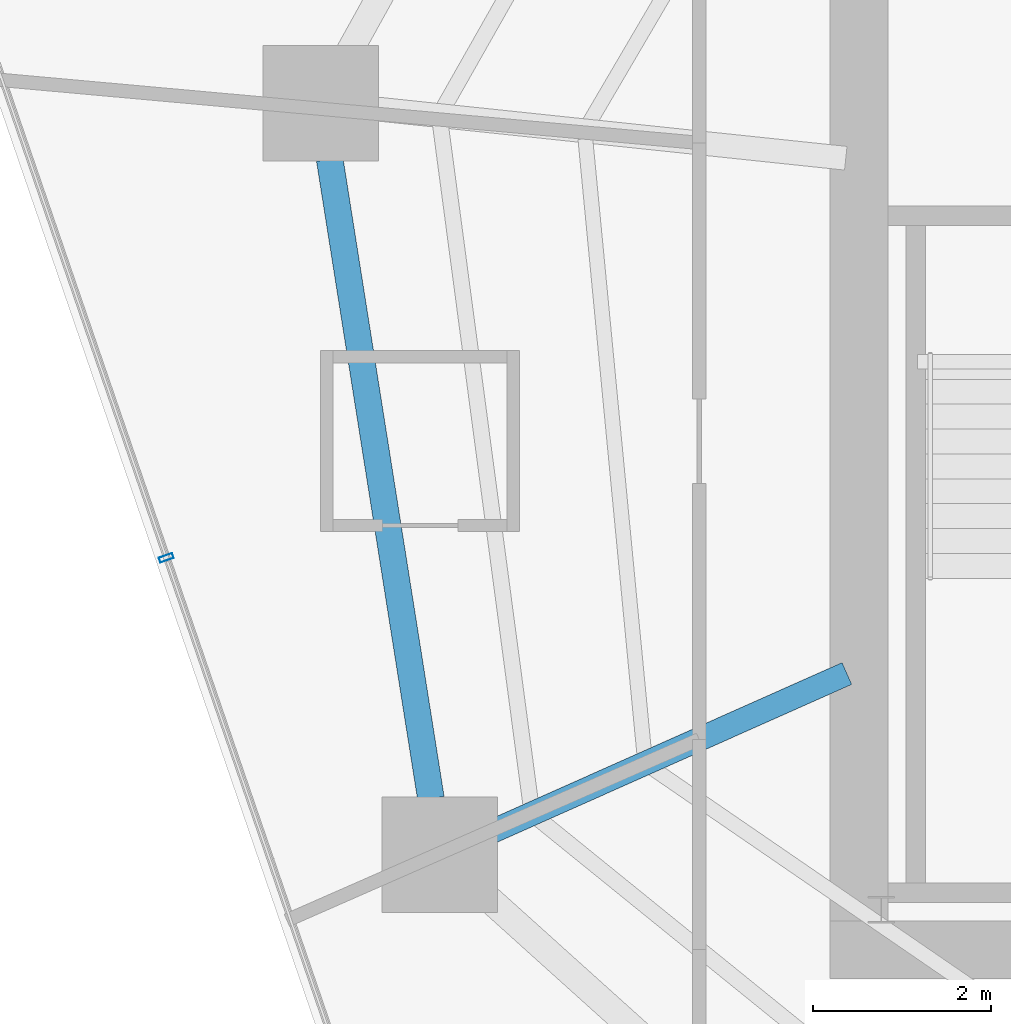
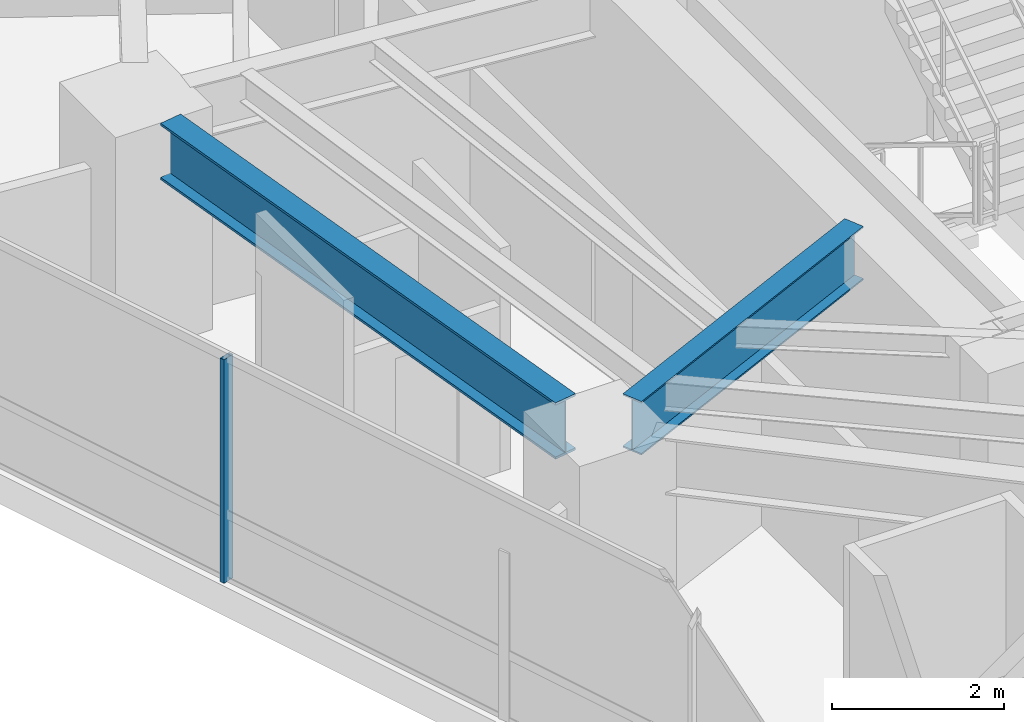
# One storey, part 7 of 33: 2 beams, 1 member, 1 element without a shape of its own.
"""IFC4 building model written with IfcOpenShell, lengths in metres."""

from ifc_helpers import new_model, si_unit, direction, frame, origin, origin_2d, place, context, subcontext, project, spatial, hollow_rectangle, i_section, extrude, material, layer, layer_set, material_profile, profile_set, type_object, element, aggregate, save


model = new_model("IFC4")

# Units and contexts
model_context = context("Model", 3, precision=1e-05, world=origin(), true_north=direction((0.0, 1.0)))
body_context = subcontext(model_context, "Body", "Model", "MODEL_VIEW")
ifc_project = project(units=[si_unit("LENGTHUNIT", "METRE"), si_unit("AREAUNIT", "SQUARE_METRE"), si_unit("VOLUMEUNIT", "CUBIC_METRE"), si_unit("PLANEANGLEUNIT", "RADIAN"), si_unit("MASSUNIT", "GRAM", prefix="KILO")], contexts=[model_context])

# Site, building, storey
site_placement = place(None, origin())
site = spatial("IfcSite", under=ifc_project, at=site_placement, CompositionType="ELEMENT")
building_placement = place(site_placement, origin())
building = spatial("IfcBuilding", under=site, at=building_placement, Name="Qarnah Convention Tower", CompositionType="ELEMENT")
storey_placement = place(building_placement, frame((0.0, 0.0, 27.0)))
storey = spatial("IfcBuildingStorey", under=building, at=storey_placement, Name="L05", CompositionType="ELEMENT", Elevation=27.0)

# Beams
ifc_material_1 = material(Name="Structural steel S355JR", Category="steel")
ifc_material_profile_1 = material_profile(ifc_material_1, i_section(OverallWidth=0.26806640625, OverallDepth=0.760009765625, WebThickness=0.014892578125, FlangeThickness=0.02197265625, at=origin_2d()), Name="W760X185")
ifc_profile_set_1 = profile_set([ifc_material_profile_1], Name="Structural steel S355JR")
beam_type_1 = type_object("IfcBeamType", Name="BM-RAD-W760", PredefinedType="BEAM", material=ifc_profile_set_1)
beam_1_placement = place(storey_placement, frame((26.6630859375, 21.708984375, 2.7900390625), z_axis=(-0.913519753242, -0.406794371195, 0.0), x_axis=(0.406794371195, -0.913519753242, 0.0)))
element("IfcBeam", 1, at=beam_1_placement, inside=storey, type_object=beam_type_1, Name="L05 beam BM-L05-RAD-06", PredefinedType="BEAM", context=body_context, shape_type="SweptSolid", body=[
    extrude(i_section(OverallWidth=0.26806640625, OverallDepth=0.760009765625, WebThickness=0.014892578125, FlangeThickness=0.02197265625, at=origin_2d()), origin(), (0.0, 0.0, 1.0), 4.38525390625),
])
ifc_material_profile_2 = material_profile(ifc_material_1, i_section(OverallWidth=0.300048828125, OverallDepth=0.800048828125, WebThickness=0.01806640625, FlangeThickness=0.032958984375, at=origin_2d()), Name="HEB800")
ifc_profile_set_2 = profile_set([ifc_material_profile_2], Name="Structural steel S355JR")
beam_type_2 = type_object("IfcBeamType", Name="BM-RING-HEB800", PredefinedType="BEAM", material=ifc_profile_set_2)
beam_2_placement = place(storey_placement, frame((20.841064453125, 27.498046875, 2.77001953125), z_axis=(0.156433977502, -0.987688417814, 0.0), x_axis=(0.987688417814, 0.156433977502, 0.0)))
element("IfcBeam", 2, at=beam_2_placement, inside=storey, type_object=beam_type_2, Name="L05 beam BM-L05-SPN-05", PredefinedType="BEAM", context=body_context, shape_type="SweptSolid", body=[
    extrude(i_section(OverallWidth=0.300048828125, OverallDepth=0.800048828125, WebThickness=0.01806640625, FlangeThickness=0.032958984375, at=origin_2d()), origin(), (0.0, 0.0, 1.0), 7.28662109375),
])

# Curtain wall, member
ifc_material_2 = material(Name="Tempered Low-E dark glass", Category="glass")
ifc_layer = layer(ifc_material_2, 0.16796875)
ifc_layer_set = layer_set([ifc_layer], Name="Tempered Low-E dark glass")
curtain_wall_type = type_object("IfcCurtainWallType", Name="CWS-01", PredefinedType="NOTDEFINED", material=ifc_layer_set)
curtain_wall_placement = place(storey_placement, origin())
curtain_wall = element("IfcCurtainWall", 3, at=curtain_wall_placement, inside=storey, type_object=curtain_wall_type, Name="L05 unitised curtain wall CW-L05-F1", PredefinedType="NOTDEFINED")
ifc_material_3 = material(Name="Black anodised aluminium", Category="aluminium")
ifc_material_profile_3 = material_profile(ifc_material_3, hollow_rectangle(XDim=0.06005859375, YDim=0.159912109375, WallThickness=0.00390625, at=origin_2d()), Name="MUL-60X160")
ifc_profile_set_3 = profile_set([ifc_material_profile_3], Name="Black anodised aluminium")
member_type = type_object("IfcMemberType", Name="MUL-T1", PredefinedType="MULLION", material=ifc_profile_set_3)
member_placement = place(storey_placement, frame((19.0009765625, 23.0107421875, 0.0), z_axis=(0.0, 0.0, 1.0), x_axis=(-0.324891257672, 0.945751378899, 0.0)))
member = element("IfcMember", 4, at=member_placement, type_object=member_type, Name="CW-L05-F1 mullion 4", PredefinedType="MULLION", context=body_context, shape_type="SweptSolid", body=[
    extrude(hollow_rectangle(XDim=0.06005859375, YDim=0.159912109375, WallThickness=0.00390625, at=origin_2d()), origin(), (0.0, 0.0, 1.0), 3.169921875),
])
aggregate(curtain_wall, [member])

save(model, "model.ifc")
